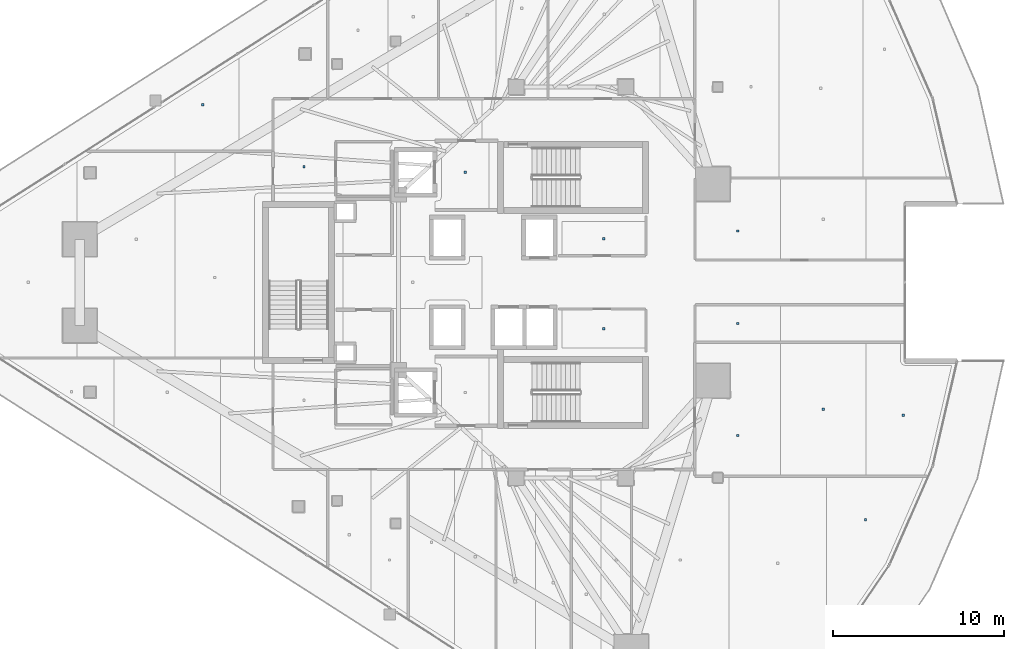
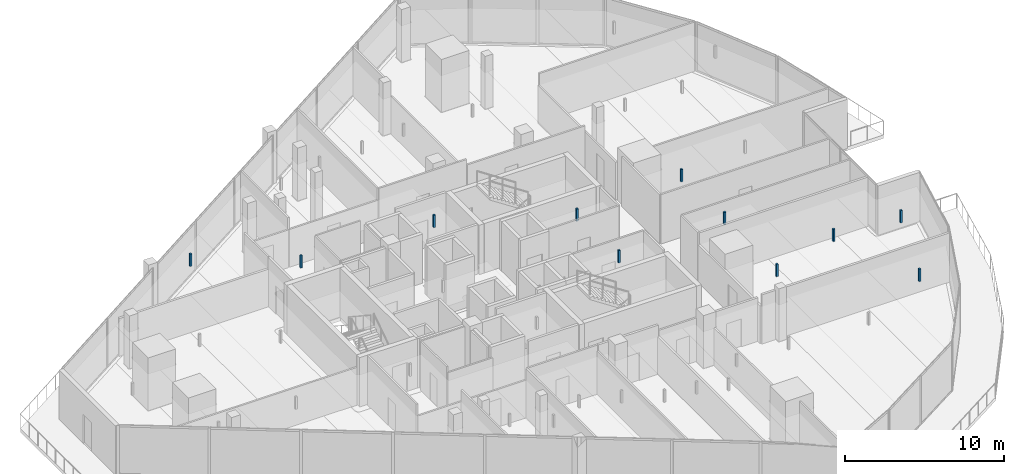
# One storey, part 29 of 37: 11 discrete accessories.
"""IFC4 building model written with IfcOpenShell, lengths in metres."""

from ifc_helpers import new_model, si_unit, direction, frame, origin, origin_2d, place, context, subcontext, project, spatial, rectangle, extrude, material, type_object, element, save


model = new_model("IFC4")

# Units and contexts
model_context = context("Model", 3, precision=1e-05, world=origin(), true_north=direction((0.0, 1.0)))
body_context = subcontext(model_context, "Body", "Model", "MODEL_VIEW")
ifc_project = project(units=[si_unit("LENGTHUNIT", "METRE"), si_unit("AREAUNIT", "SQUARE_METRE"), si_unit("VOLUMEUNIT", "CUBIC_METRE"), si_unit("PLANEANGLEUNIT", "RADIAN"), si_unit("MASSUNIT", "GRAM", prefix="KILO")], contexts=[model_context])

# Site, building, storey
site_placement = place(None, origin())
site = spatial("IfcSite", under=ifc_project, at=site_placement, CompositionType="ELEMENT")
building_placement = place(site_placement, origin())
building = spatial("IfcBuilding", under=site, at=building_placement, Name="Qorvath Tower", CompositionType="ELEMENT")
storey_placement = place(building_placement, frame((0.0, 0.0, 188.85009765625)))
storey = spatial("IfcBuildingStorey", under=building, at=storey_placement, Name="L43", CompositionType="ELEMENT", Elevation=188.85009765625)

# Discrete accessories
ifc_material = material(Name="Galvanised steel bracket", Category="steel")
discrete_accessory_type = type_object("IfcDiscreteAccessoryType", Name="DA-BRACKET", PredefinedType="BRACKET", material=ifc_material)
for number, where, z_axis, x_axis, name in (
    (1, (-26.590087890625, 6.449951171875, 2.85986328125), (0.0, 0.0, 1.0), (1.0, 0.0, 0.0), "Acoustic Ceiling Suspension Hanger T1-L43-001"),
    (2, (-18.472412109375, 2.5625, 2.85986328125), (0.0, 0.0, 1.0), (1.0, 0.0, 0.0), "Acoustic Ceiling Suspension Hanger T1-L43-003"),
    (3, (-18.472412109375, -2.70751953125, 2.85986328125), (0.0, 0.0, 1.0), (1.0, 0.0, 0.0), "Acoustic Ceiling Suspension Hanger T1-L43-004"),
    (4, (-36.040283203125, 6.782470703125, 2.85986328125), (0.0, 0.0, 1.0), (1.0, 0.0, 0.0), "Acoustic Ceiling Suspension Hanger T1-L43-010"),
    (5, (-3.14306640625, -13.914306640625, 2.85986328125), (0.0, 0.0, 1.0), (1.0, 0.0, 0.0), "Acoustic Ceiling Suspension Hanger T1-L43-029"),
    (6, (-10.62939453125, -8.966552734375, 2.85986328125), (0.0, 0.0, 1.0), (1.0, 0.0, 0.0), "Acoustic Ceiling Suspension Hanger T1-L43-030"),
    (7, (-5.614501953125, -7.428466796875, 2.85986328125), (0.0, 0.0, 1.0), (1.0, 0.0, 0.0), "Acoustic Ceiling Suspension Hanger T1-L43-031"),
    (8, (-0.938232421875, -7.775390625, 2.85986328125), (0.0, 0.0, 1.0), (1.0, 0.0, 0.0), "Acoustic Ceiling Suspension Hanger T1-L43-032"),
    (9, (-10.62939453125, 3.013671875, 2.85986328125), (0.0, 0.0, 1.0), (1.0, 0.0, 0.0), "Acoustic Ceiling Suspension Hanger T1-L43-033"),
    (10, (-10.62939453125, -2.405029296875, 2.85986328125), (0.0, 0.0, 1.0), (1.0, 0.0, 0.0), "Acoustic Ceiling Suspension Hanger T1-L43-034"),
    (11, (-41.97705078125, 10.410888671875, 2.85986328125), (0.0, 0.0, 1.0), (1.0, 0.0, 0.0), "Acoustic Ceiling Suspension Hanger T1-L43-045"),
):
    element("IfcDiscreteAccessory", number, at=place(storey_placement, frame(where, z_axis=z_axis, x_axis=x_axis)), inside=storey, type_object=discrete_accessory_type, Name=name, PredefinedType="NOTDEFINED", context=body_context, shape_type="SweptSolid", body=[
        extrude(rectangle(XDim=0.139892578125, YDim=0.139892578125, at=origin_2d()), origin(), (0.0, 0.0, 1.0), 0.949951171875),
    ])

save(model, "model.ifc")
